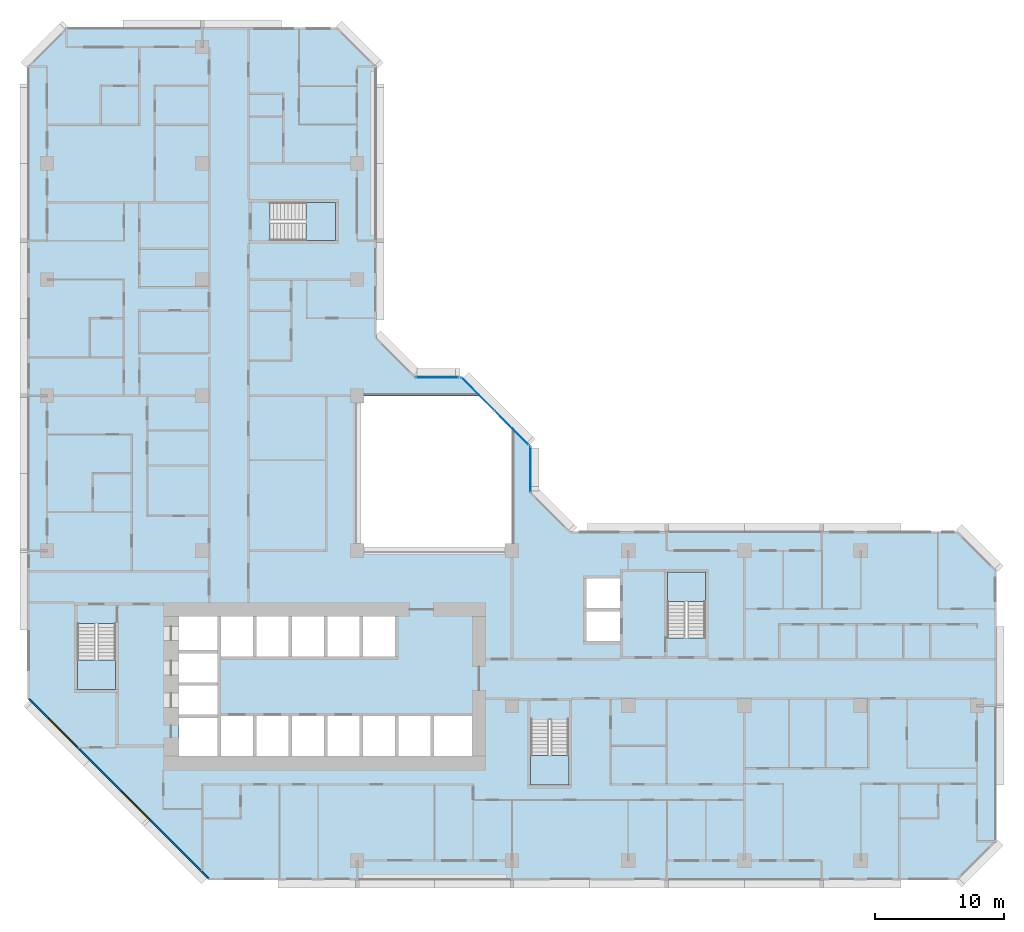
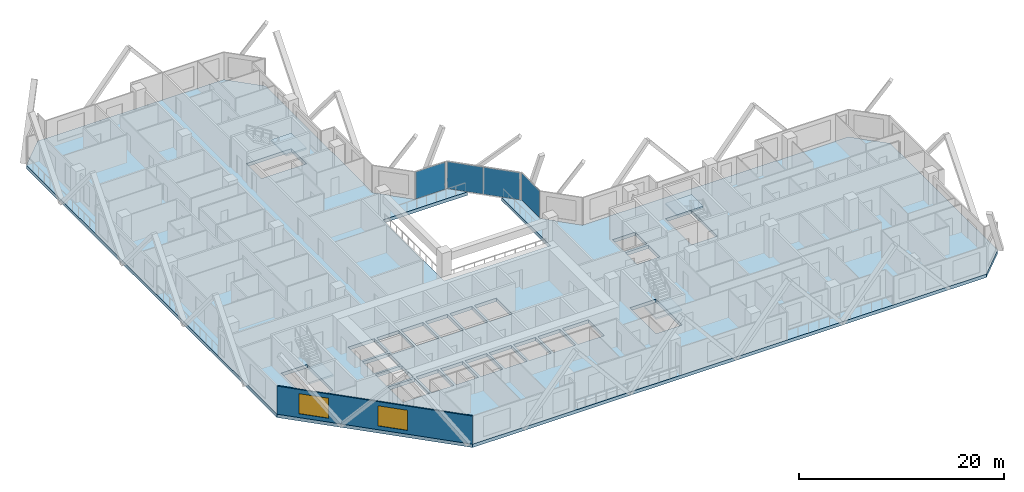
# One storey, part 3 of 15: 5 slabs, 4 plates, 2 windows, 1 wall, 2 openings, 7 elements without a shape of their own.
"""IFC4 building model written with IfcOpenShell, lengths in metres."""

from ifc_helpers import new_model, si_unit, direction, frame, frame_2d, origin, origin_2d, place, context, subcontext, project, spatial, polyline, rectangle, outline, extrude, material, layer, layer_set, type_object, element, fill, aggregate, save


model = new_model("IFC4")

# Units and contexts
model_context = context("Model", 3, precision=1e-05, world=origin(), true_north=direction((0.0, 1.0)))
body_context = subcontext(model_context, "Body", "Model", "MODEL_VIEW")
ifc_project = project(units=[si_unit("LENGTHUNIT", "METRE"), si_unit("AREAUNIT", "SQUARE_METRE"), si_unit("VOLUMEUNIT", "CUBIC_METRE"), si_unit("PLANEANGLEUNIT", "RADIAN"), si_unit("MASSUNIT", "GRAM", prefix="KILO")], contexts=[model_context])

# Site, building, storey
site_placement = place(None, origin())
site = spatial("IfcSite", under=ifc_project, at=site_placement, CompositionType="ELEMENT")
building_placement = place(site_placement, origin())
building = spatial("IfcBuilding", under=site, at=building_placement, Name="Chenar Terraces", CompositionType="ELEMENT")
storey_placement = place(building_placement, frame((0.0, 0.0, 48.89990234375)))
storey = spatial("IfcBuildingStorey", under=building, at=storey_placement, Name="L09", CompositionType="ELEMENT", Elevation=48.89990234375)

# Curtain wall, plate
ifc_material_1 = material(Name="Aluminium framed glazing", Category="aluminium")
ifc_layer_1 = layer(ifc_material_1, 0.14990234375)
ifc_layer_set_1 = layer_set([ifc_layer_1], Name="Aluminium framed glazing")
curtain_wall_type = type_object("IfcCurtainWallType", Name="Atrium curtain wall", PredefinedType="NOTDEFINED", material=ifc_layer_set_1)
placement_1 = place(storey_placement, origin())
curtain_wall_1 = element("IfcCurtainWall", 1, at=placement_1, inside=storey, type_object=curtain_wall_type, Name="Atrium curtain wall", PredefinedType="NOTDEFINED")
ifc_material_2 = material(Name="Low emissivity laminated glass, solar control coating", Category="glass")
ifc_layer_2 = layer(ifc_material_2, 0.028076171875)
ifc_layer_set_2 = layer_set([ifc_layer_2], Name="Low emissivity laminated glass, solar control coating")
plate_type = type_object("IfcPlateType", Name="Atrium glazing panel 28", PredefinedType="CURTAIN_PANEL", material=ifc_layer_set_2)
plate_1_placement = place(storey_placement, frame((37.425048828125, 30.300048828125, 0.06005859375), z_axis=(0.0, 0.0, 1.0), x_axis=(0.0, 1.0, 0.0)))
plate_1 = element("IfcPlate", 2, at=plate_1_placement, type_object=plate_type, Name="CW1-1 panel 1.1", PredefinedType="CURTAIN_PANEL", context=body_context, shape_type="SweptSolid", body=[
    extrude(rectangle(XDim=3.47998046875, YDim=0.028076171875, at=origin_2d()), origin(), (0.0, 0.0, 1.0), 3.22998046875),
])
aggregate(curtain_wall_1, [plate_1])

# Curtain wall, plates
curtain_wall_2 = element("IfcCurtainWall", 3, at=placement_1, inside=storey, type_object=curtain_wall_type, Name="Atrium curtain wall", PredefinedType="NOTDEFINED")
plate_2_placement = place(storey_placement, frame((35.980224609375, 33.513671875, 0.06005859375), z_axis=(0.0, 0.0, 1.0), x_axis=(-0.707106781187, 0.707106781187, 0.0)))
plate_2 = element("IfcPlate", 4, at=plate_2_placement, type_object=plate_type, Name="CW1-2 panel 1.1", PredefinedType="CURTAIN_PANEL", context=body_context, shape_type="SweptSolid", body=[
    extrude(rectangle(XDim=3.62841796875, YDim=0.028076171875, at=origin_2d()), origin(), (0.0, 0.0, 1.0), 3.22998046875),
])
plate_3_placement = place(storey_placement, frame((33.3720703125, 36.121826171875, 0.06005859375), z_axis=(0.0, 0.0, 1.0), x_axis=(-0.707106781187, 0.707106781187, 0.0)))
plate_3 = element("IfcPlate", 5, at=plate_3_placement, type_object=plate_type, Name="CW1-2 panel 2.1", PredefinedType="CURTAIN_PANEL", context=body_context, shape_type="SweptSolid", body=[
    extrude(rectangle(XDim=3.62841796875, YDim=0.028076171875, at=origin_2d()), origin(), (0.0, 0.0, 1.0), 3.22998046875),
])
aggregate(curtain_wall_2, [plate_2, plate_3])

# Curtain wall, plate
curtain_wall_3 = element("IfcCurtainWall", 6, at=placement_1, inside=storey, type_object=curtain_wall_type, Name="Atrium curtain wall", PredefinedType="NOTDEFINED")
plate_4_placement = place(storey_placement, frame((30.199951171875, 37.425048828125, 0.06005859375), z_axis=(0.0, 0.0, 1.0), x_axis=(-1.0, 0.0, 0.0)))
plate_4 = element("IfcPlate", 7, at=plate_4_placement, type_object=plate_type, Name="CW1-3 panel 1.1", PredefinedType="CURTAIN_PANEL", context=body_context, shape_type="SweptSolid", body=[
    extrude(rectangle(XDim=3.280029296875, YDim=0.028076171875, at=origin_2d()), origin(), (0.0, 0.0, 1.0), 3.22998046875),
])
aggregate(curtain_wall_3, [plate_4])

# Stair, slab
ifc_material_3 = material(Name="Reinforced concrete C40/50", Category="concrete")
stair_type = type_object("IfcStairType", Name="Core stair 1400 half-turn", PredefinedType="HALF_TURN_STAIR", material=ifc_material_3)
stair_1 = element("IfcStair", 8, at=placement_1, inside=storey, type_object=stair_type, Name="L09 Stair 1", PredefinedType="HALF_TURN_STAIR")
ifc_material_4 = material(Name="Reinforced concrete C40/50", Category="concrete")
ifc_layer_3 = layer(ifc_material_4, 0.199951171875)
ifc_layer_set_3 = layer_set([ifc_layer_3], Name="Reinforced concrete C40/50")
slab_type_1 = type_object("IfcSlabType", Name="Core stair landing 200", PredefinedType="LANDING", material=ifc_layer_set_3)
placement_2 = place(storey_placement, frame((0.0, 0.0, 1.675048828125)))
slab_1 = element("IfcSlab", 9, at=placement_2, type_object=slab_type_1, Name="ST1 landing 1", PredefinedType="LANDING", context=body_context, shape_type="SweptSolid", body=[
    extrude(outline(polyline([(2.35009765625, 15.550048828125), (2.35009765625, 13.25), (5.300048828125, 13.25), (5.300048828125, 15.550048828125), (2.35009765625, 15.550048828125)])), origin(), (0.0, 0.0, 1.0), 0.199951171875),
])
aggregate(stair_1, [slab_1])

stair_2 = element("IfcStair", 10, at=placement_1, inside=storey, type_object=stair_type, Name="L09 Stair 2", PredefinedType="HALF_TURN_STAIR")
slab_2 = element("IfcSlab", 11, at=placement_2, type_object=slab_type_1, Name="ST2 landing 1", PredefinedType="LANDING", context=body_context, shape_type="SweptSolid", body=[
    extrude(outline(polyline([(37.449951171875, 8.14990234375), (37.449951171875, 5.85009765625), (40.39990234375, 5.85009765625), (40.39990234375, 8.14990234375), (37.449951171875, 8.14990234375)])), origin(), (0.0, 0.0, 1.0), 0.199951171875),
])
aggregate(stair_2, [slab_2])

stair_3 = element("IfcStair", 12, at=placement_1, inside=storey, type_object=stair_type, Name="L09 Stair 3", PredefinedType="HALF_TURN_STAIR")
slab_3 = element("IfcSlab", 13, at=placement_2, type_object=slab_type_1, Name="ST3 landing 1", PredefinedType="LANDING", context=body_context, shape_type="SweptSolid", body=[
    extrude(outline(polyline([(50.97509765625, 20.050048828125), (50.97509765625, 22.35009765625), (48.02490234375, 22.35009765625), (48.02490234375, 20.050048828125), (50.97509765625, 20.050048828125)])), origin(), (0.0, 0.0, 1.0), 0.199951171875),
])
aggregate(stair_3, [slab_3])

stair_4 = element("IfcStair", 14, at=placement_1, inside=storey, type_object=stair_type, Name="L09 Stair 4", PredefinedType="HALF_TURN_STAIR")
slab_4 = element("IfcSlab", 15, at=placement_2, type_object=slab_type_1, Name="ST4 landing 1", PredefinedType="LANDING", context=body_context, shape_type="SweptSolid", body=[
    extrude(outline(polyline([(20.050048828125, 48.02490234375), (22.35009765625, 48.02490234375), (22.35009765625, 50.97509765625), (20.050048828125, 50.97509765625), (20.050048828125, 48.02490234375)])), origin(), (0.0, 0.0, 1.0), 0.199951171875),
])
aggregate(stair_4, [slab_4])

# Slab
ifc_material_5 = material(Name="Concrete C40/50", Category="concrete")
ifc_layer_4 = layer(ifc_material_5, 0.39990234375)
ifc_layer_set_4 = layer_set([ifc_layer_4], Name="Concrete C40/50")
slab_type_2 = type_object("IfcSlabType", Name="Floor slab 400 Concrete C40/50", PredefinedType="FLOOR", material=ifc_layer_set_4)
slab_5_placement = place(storey_placement, frame((0.0, 0.0, -0.39990234375)))
element("IfcSlab", 16, at=slab_5_placement, inside=storey, type_object=slab_type_2, Name="Floor slab L09", PredefinedType="FLOOR", context=body_context, shape_type="SweptSolid", body=[
    extrude(outline(polyline([(73.5, 22.5), (73.5, 1.5), (70.5, -1.5), (12.5, -1.5), (-1.5, 12.5), (-1.5, 61.5), (1.5, 64.5), (22.5, 64.5), (25.5, 61.5), (25.5, 40.5), (28.5, 37.5), (32.10009765625, 37.5), (33.60009765625, 36.0), (24.0, 36.0), (24.0, 24.0), (36.0, 24.0), (36.0, 33.60009765625), (37.5, 32.10009765625), (37.5, 28.5), (40.5, 25.5), (70.5, 25.5), (73.5, 22.5)]), holes=[polyline([(13.199951171875, 11.050048828125), (10.199951171875, 11.050048828125), (10.199951171875, 8.10009765625), (13.199951171875, 8.10009765625), (13.199951171875, 11.050048828125)]), polyline([(15.949951171875, 11.199951171875), (13.449951171875, 11.199951171875), (13.449951171875, 8.10009765625), (15.949951171875, 8.10009765625), (15.949951171875, 11.199951171875)]), polyline([(18.699951171875, 11.199951171875), (16.199951171875, 11.199951171875), (16.199951171875, 8.10009765625), (18.699951171875, 8.10009765625), (18.699951171875, 11.199951171875)]), polyline([(21.449951171875, 8.10009765625), (21.449951171875, 11.199951171875), (18.949951171875, 11.199951171875), (18.949951171875, 8.10009765625), (21.449951171875, 8.10009765625)]), polyline([(13.199951171875, 11.300048828125), (13.199951171875, 13.550048828125), (10.199951171875, 13.550048828125), (10.199951171875, 11.300048828125), (13.199951171875, 11.300048828125)]), polyline([(13.199951171875, 16.050048828125), (10.199951171875, 16.050048828125), (10.199951171875, 13.800048828125), (13.199951171875, 13.800048828125), (13.199951171875, 16.050048828125)]), polyline([(2.35009765625, 18.35009765625), (2.35009765625, 13.25), (5.300048828125, 13.25), (5.300048828125, 18.35009765625), (2.35009765625, 18.35009765625)]), polyline([(15.949951171875, 15.800048828125), (15.949951171875, 18.89990234375), (13.449951171875, 18.89990234375), (13.449951171875, 15.800048828125), (15.949951171875, 15.800048828125)]), polyline([(18.699951171875, 18.89990234375), (16.199951171875, 18.89990234375), (16.199951171875, 15.800048828125), (18.699951171875, 15.800048828125), (18.699951171875, 18.89990234375)]), polyline([(21.449951171875, 15.800048828125), (21.449951171875, 18.89990234375), (18.949951171875, 18.89990234375), (18.949951171875, 15.800048828125), (21.449951171875, 15.800048828125)]), polyline([(13.199951171875, 16.300048828125), (13.199951171875, 18.89990234375), (10.199951171875, 18.89990234375), (10.199951171875, 16.300048828125), (13.199951171875, 16.300048828125)]), polyline([(22.35009765625, 48.02490234375), (22.35009765625, 50.97509765625), (17.25, 50.97509765625), (17.25, 48.02490234375), (22.35009765625, 48.02490234375)]), polyline([(37.449951171875, 10.949951171875), (37.449951171875, 5.85009765625), (40.39990234375, 5.85009765625), (40.39990234375, 10.949951171875), (37.449951171875, 10.949951171875)]), polyline([(24.199951171875, 8.10009765625), (24.199951171875, 11.199951171875), (21.699951171875, 11.199951171875), (21.699951171875, 8.10009765625), (24.199951171875, 8.10009765625)]), polyline([(26.949951171875, 11.199951171875), (24.449951171875, 11.199951171875), (24.449951171875, 8.10009765625), (26.949951171875, 8.10009765625), (26.949951171875, 11.199951171875)]), polyline([(29.699951171875, 8.10009765625), (29.699951171875, 11.199951171875), (27.199951171875, 11.199951171875), (27.199951171875, 8.10009765625), (29.699951171875, 8.10009765625)]), polyline([(32.89990234375, 8.10009765625), (32.89990234375, 11.199951171875), (29.949951171875, 11.199951171875), (29.949951171875, 8.10009765625), (32.89990234375, 8.10009765625)]), polyline([(24.199951171875, 18.89990234375), (21.699951171875, 18.89990234375), (21.699951171875, 15.800048828125), (24.199951171875, 15.800048828125), (24.199951171875, 18.89990234375)]), polyline([(26.949951171875, 15.800048828125), (26.949951171875, 18.89990234375), (24.449951171875, 18.89990234375), (24.449951171875, 15.800048828125), (26.949951171875, 15.800048828125)]), polyline([(44.35009765625, 17.0), (44.35009765625, 19.300048828125), (41.75, 19.300048828125), (41.75, 17.0), (44.35009765625, 17.0)]), polyline([(50.97509765625, 22.35009765625), (48.02490234375, 22.35009765625), (48.02490234375, 17.25), (50.97509765625, 17.25), (50.97509765625, 22.35009765625)]), polyline([(44.35009765625, 19.550048828125), (44.35009765625, 21.85009765625), (41.75, 21.85009765625), (41.75, 19.550048828125), (44.35009765625, 19.550048828125)])]), origin(), (0.0, 0.0, 1.0), 0.39990234375),
])

# Wall, openings, windows
ifc_material_6 = material(Name="Terracotta cladding on insulated backing", Category="masonry")
ifc_layer_5 = layer(ifc_material_6, 0.14990234375)
ifc_layer_set_5 = layer_set([ifc_layer_5], Name="Terracotta cladding on insulated backing")
wall_type = type_object("IfcWallType", Name="Terracotta rainscreen wall 150", PredefinedType="SOLIDWALL", material=ifc_layer_set_5)
wall_placement = place(storey_placement, frame((-1.447021484375, 12.552978515625, 0.0), z_axis=(0.0, 0.0, 1.0), x_axis=(0.707106781187, -0.707106781187, 0.0)))
wall = element("IfcWall", 17, at=wall_placement, inside=storey, type_object=wall_type, Name="Terracotta rainscreen wall", PredefinedType="SOLIDWALL", context=body_context, shape_type="SweptSolid", body=[
    extrude(rectangle(XDim=19.799072265625, YDim=0.14990234375, at=frame_2d((9.8994140625, 0.0))), origin(), (0.0, 0.0, 1.0), 3.35009765625),
])
opening_1_placement = place(wall_placement, frame((2.21240234375, 0.0, 0.449951171875)))
opening_1 = element("IfcOpeningElement", 18, at=opening_1_placement, cuts=wall, Name="Opening W300x240", PredefinedType="OPENING", context=body_context, shape_type="SweptSolid", body=[
    extrude(rectangle(XDim=3.0, YDim=2.39990234375, at=frame_2d((1.5, 1.199951171875))), frame((0.0, 0.0849609375, 0.0), z_axis=(0.0, -1.0, 0.0), x_axis=(1.0, 0.0, 0.0)), (0.0, 0.0, 1.0), 0.169921875),
])
opening_2_placement = place(wall_placement, frame((10.215576171875, 0.0, 0.449951171875)))
opening_2 = element("IfcOpeningElement", 19, at=opening_2_placement, cuts=wall, Name="Opening W300x240", PredefinedType="OPENING", context=body_context, shape_type="SweptSolid", body=[
    extrude(rectangle(XDim=3.0, YDim=2.39990234375, at=frame_2d((1.5, 1.199951171875))), frame((0.0, 0.0849609375, 0.0), z_axis=(0.0, -1.0, 0.0), x_axis=(1.0, 0.0, 0.0)), (0.0, 0.0, 1.0), 0.169921875),
])
ifc_material_7 = material(Name="Low emissivity double glazing, aluminium frame", Category="aluminium")
window_type = type_object("IfcWindowType", Name="Fixed light 3000 x 2400", PartitioningType="SINGLE_PANEL", PredefinedType="WINDOW", material=ifc_material_7)
window_1_placement = place(opening_1_placement, origin())
window_1 = element("IfcWindow", 20, at=window_1_placement, inside=storey, type_object=window_type, Name="Window", OverallHeight=2.39990234375, OverallWidth=3.0, PartitioningType="SINGLE_PANEL", PredefinedType="WINDOW", context=body_context, shape_type="SweptSolid", body=[
    extrude(rectangle(XDim=3.0, YDim=2.39990234375, at=frame_2d((1.5, 1.199951171875))), frame((0.0, 0.030029296875, 0.0), z_axis=(0.0, -1.0, 0.0), x_axis=(1.0, 0.0, 0.0)), (0.0, 0.0, 1.0), 0.06005859375),
])
fill(opening_1, window_1)
window_2_placement = place(opening_2_placement, origin())
window_2 = element("IfcWindow", 21, at=window_2_placement, inside=storey, type_object=window_type, Name="Window", OverallHeight=2.39990234375, OverallWidth=3.0, PartitioningType="SINGLE_PANEL", PredefinedType="WINDOW", context=body_context, shape_type="SweptSolid", body=[
    extrude(rectangle(XDim=3.0, YDim=2.39990234375, at=frame_2d((1.5, 1.199951171875))), frame((0.0, 0.030029296875, 0.0), z_axis=(0.0, -1.0, 0.0), x_axis=(1.0, 0.0, 0.0)), (0.0, 0.0, 1.0), 0.06005859375),
])
fill(opening_2, window_2)

save(model, "model.ifc")
